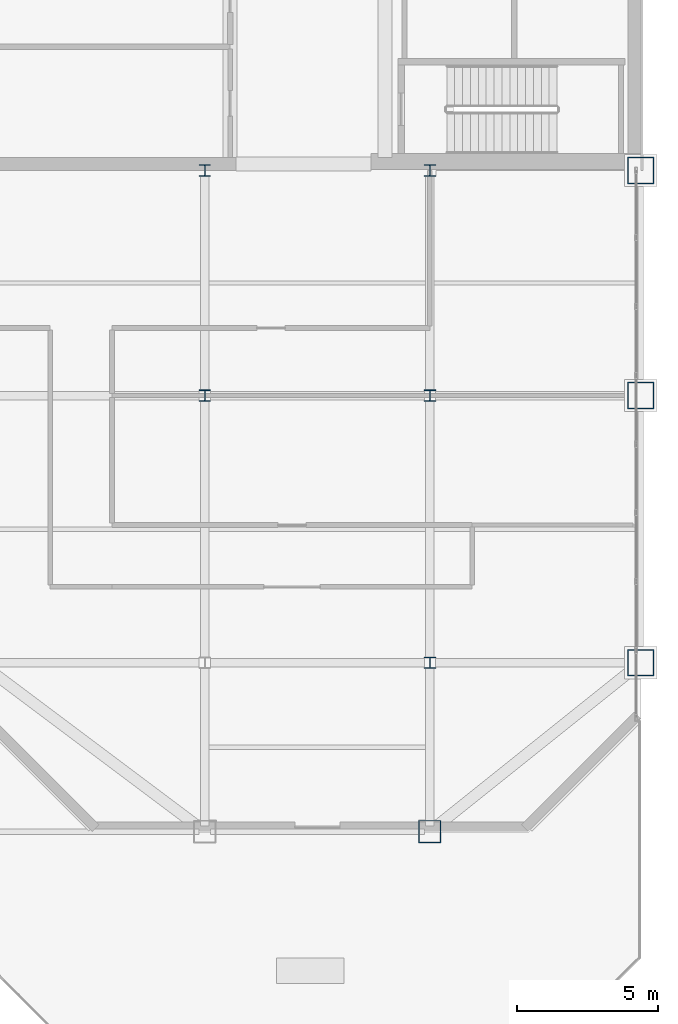
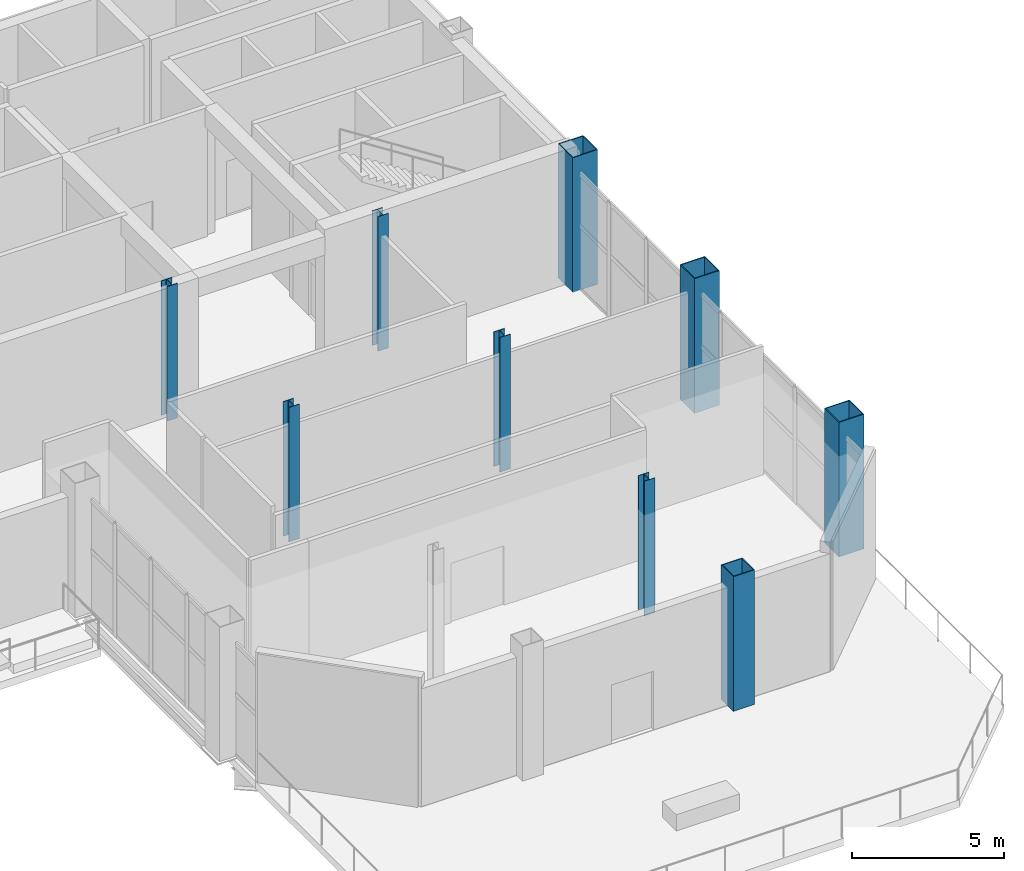
# One storey, part 2 of 21: 9 columns.
"""IFC4 building model written with IfcOpenShell, lengths in metres."""

import ifcopenshell
import ifcopenshell.guid

model = None  # the IFC model being written
_history = None  # IfcOwnerHistory: only IFC2X3 demands one
_inside = {}  # id of a spatial element -> (the spatial element, [elements in it])
_under = {}  # id of a project, library or spatial element -> (it, [spatial elements below it])
_declared = {}  # id of a project -> (the project, [libraries it declares])
_typed = {}  # id of a type object -> (the type object, [elements of that type])
_made_of = {}  # id of a material, layer set ... -> (it, [elements and type objects made of it])


def new_model(schema):
    """Start an empty IFC model of exactly this schema.

    Asked for "IFC4X3", IfcOpenShell would pick the latest addendum, in which some entities
    have other attributes; the version numbers below select the first issue.
    IFC2X3 requires an IfcOwnerHistory on every rooted entity: one is made here for all.
    """
    global model, _history
    if schema == "IFC4X3":
        model = ifcopenshell.file(schema_version=(4, 3, 0, 0))
    else:
        model = ifcopenshell.file(schema=schema)
    _inside.clear()
    _under.clear()
    _declared.clear()
    _typed.clear()
    _made_of.clear()
    _history = None
    if model.schema == "IFC2X3":
        org = make("IfcOrganization", Name="unknown")
        user = make(
            "IfcPersonAndOrganization",
            ThePerson=make("IfcPerson", FamilyName="unknown"),
            TheOrganization=org,
        )
        app = make(
            "IfcApplication",
            ApplicationDeveloper=org,
            Version="unknown",
            ApplicationFullName="unknown",
            ApplicationIdentifier="unknown",
        )
        _history = make(
            "IfcOwnerHistory",
            OwningUser=user,
            OwningApplication=app,
            ChangeAction="ADDED",
            CreationDate=0,
        )
    return model


def make(cls, **values):
    """One entity of the class cls with the attributes given. An attribute that is None is left unset."""
    return model.create_entity(
        cls, **{name: value for name, value in values.items() if value is not None}
    )


def rooted(cls, **values):
    """An entity with a GlobalId (a new one), such as an element, a storey or a relation."""
    return make(cls, GlobalId=ifcopenshell.guid.new(), OwnerHistory=_history, **values)


def si_unit(unit_type, name, prefix=None):
    """IfcSIUnit, for example si_unit("LENGTHUNIT", "METRE", prefix="MILLI")."""
    return make("IfcSIUnit", UnitType=unit_type, Prefix=prefix, Name=name)


def assignment(units):
    """IfcUnitAssignment: the units of a project."""
    return None if units is None else make("IfcUnitAssignment", Units=units)


def point(xyz):
    """IfcCartesianPoint."""
    return None if xyz is None else make("IfcCartesianPoint", Coordinates=xyz)


def direction(xyz):
    """IfcDirection."""
    return None if xyz is None else make("IfcDirection", DirectionRatios=xyz)


def frame(location, z_axis=None, x_axis=None):
    """IfcAxis2Placement3D, a coordinate frame: its origin and axes. An axis left out is left unset."""
    return make(
        "IfcAxis2Placement3D",
        Location=point(location),
        Axis=direction(z_axis),
        RefDirection=direction(x_axis),
    )


def frame_2d(location, x_axis=None):
    """IfcAxis2Placement2D, a coordinate frame in the plane: its origin and x axis."""
    return make(
        "IfcAxis2Placement2D", Location=point(location), RefDirection=direction(x_axis)
    )


def origin():
    """The frame at (0, 0, 0) with its axes left unset."""
    return frame((0.0, 0.0, 0.0))


def origin_2d():
    """The frame at (0, 0) in the plane with its x axis left unset."""
    return frame_2d((0.0, 0.0))


def place(relative_to, where):
    """IfcLocalPlacement: puts the frame where relative to a parent placement (None: the world)."""
    return make(
        "IfcLocalPlacement", PlacementRelTo=relative_to, RelativePlacement=where
    )


def context(
    kind, dimensions, precision=None, world=None, true_north=None, identifier=None
):
    """IfcGeometricRepresentationContext, for example the 3D "Model" context."""
    return make(
        "IfcGeometricRepresentationContext",
        ContextIdentifier=identifier,
        ContextType=kind,
        CoordinateSpaceDimension=dimensions,
        Precision=precision,
        WorldCoordinateSystem=world,
        TrueNorth=true_north,
    )


def subcontext(parent, identifier, kind, view, scale=None):
    """IfcGeometricRepresentationSubContext, for example "Body" below "Model"."""
    return make(
        "IfcGeometricRepresentationSubContext",
        ContextIdentifier=identifier,
        ContextType=kind,
        ParentContext=parent,
        TargetScale=scale,
        TargetView=view,
    )


def project(units=None, contexts=None):
    """IfcProject with its units and contexts."""
    return rooted(
        "IfcProject",
        Name="project",
        RepresentationContexts=contexts,
        UnitsInContext=assignment(units),
    )


def spatial(cls, under=None, at=None, **own):
    """A site, building, storey or space (cls), placed at a placement, below another one or the project."""
    s = rooted(cls, ObjectPlacement=at, **own)
    if under is not None:
        _under.setdefault(under.id(), (under, []))[1].append(s)
    return s


def profile(cls, at=None, kind="AREA", **sizes):
    """A parametric profile (cls). Its sizes go by their IFC names, for example OverallWidth=200.0."""
    return make(cls, ProfileType=kind, Position=at, **sizes)


def hollow_rectangle(**sizes):
    """IfcRectangleHollowProfileDef."""
    return profile("IfcRectangleHollowProfileDef", **sizes)


def i_section(**sizes):
    """IfcIShapeProfileDef."""
    return profile("IfcIShapeProfileDef", **sizes)


def extrude(swept, where, along, depth):
    """IfcExtrudedAreaSolid: the profile swept, set in the frame where, extruded along a direction by depth."""
    return make(
        "IfcExtrudedAreaSolid",
        SweptArea=swept,
        Position=where,
        ExtrudedDirection=direction(along),
        Depth=depth,
    )


def shape(context_of_items, identifier, shape_type, items):
    """IfcShapeRepresentation: the items that make up one representation, for example the "Body"."""
    return make(
        "IfcShapeRepresentation",
        ContextOfItems=context_of_items,
        RepresentationIdentifier=identifier,
        RepresentationType=shape_type,
        Items=items,
    )


def material(Name=None, Category=None):
    """IfcMaterial."""
    return make("IfcMaterial", Name=Name, Category=Category)


def material_profile(
    of_material, cross_section, Name=None, Category=None, Priority=None
):
    """IfcMaterialProfile: a cross section and its material."""
    return make(
        "IfcMaterialProfile",
        Name=Name,
        Material=of_material,
        Profile=cross_section,
        Priority=Priority,
        Category=Category,
    )


def profile_set(profiles, Name=None, composite=None):
    """IfcMaterialProfileSet."""
    return make(
        "IfcMaterialProfileSet",
        Name=Name,
        MaterialProfiles=profiles,
        CompositeProfile=composite,
    )


def made_of(thing, what):
    """Note that an element or type object is made of a material, layer set ...; save() writes the relation."""
    if what is not None:
        _made_of.setdefault(what.id(), (what, []))[1].append(thing)
    return thing


def type_object(cls, material=None, **own):
    """A type object (cls), such as IfcWallType, which elements share."""
    return made_of(rooted(cls, **own), material)


def element(
    cls,
    number,
    at=None,
    inside=None,
    cuts=None,
    type_object=None,
    material=None,
    context=None,
    identifier="Body",
    shape_type=None,
    held_by="IfcProductDefinitionShape",
    body=None,
    shapes=None,
    **own,
):
    """One element of the class cls, such as IfcWall. Its Tag is "e" and its number.

    at: its placement. inside: the storey or other place that contains it. cuts: it is an
    opening in that element (IfcRelVoidsElement). A single representation is given by context,
    identifier, shape_type and body (its items); several are given by shapes. held_by: the class
    of the entity that holds the representations. save() writes the other relations.
    """
    e = rooted(cls, Tag="e%d" % number, ObjectPlacement=at, **own)
    if body is not None:
        shapes = [shape(context, identifier, shape_type, body)]
    if shapes is not None:
        e.Representation = make(held_by, Representations=shapes)
    if inside is not None:
        _inside.setdefault(inside.id(), (inside, []))[1].append(e)
    if cuts is not None:
        rooted(
            "IfcRelVoidsElement", RelatingBuildingElement=cuts, RelatedOpeningElement=e
        )
    if type_object is not None:
        _typed.setdefault(type_object.id(), (type_object, []))[1].append(e)
    return made_of(e, material)


def aggregate(whole, parts):
    """IfcRelAggregates: a whole, such as a stair, and the parts it consists of."""
    return rooted("IfcRelAggregates", RelatingObject=whole, RelatedObjects=parts)


def save(model, path):
    """Write the relations noted so far, then the file.

    IfcRelAggregates (storeys below a building ...), IfcRelContainedInSpatialStructure (elements
    in a storey), IfcRelDefinesByType, IfcRelAssociatesMaterial and IfcRelDeclares: one each for
    every whole, place, type object, material and project.
    """
    for whole, parts in _under.values():
        aggregate(whole, parts)
    for where, things in _inside.values():
        rooted(
            "IfcRelContainedInSpatialStructure",
            RelatedElements=things,
            RelatingStructure=where,
        )
    for kind, things in _typed.values():
        rooted("IfcRelDefinesByType", RelatedObjects=things, RelatingType=kind)
    for what, things in _made_of.values():
        rooted("IfcRelAssociatesMaterial", RelatedObjects=things, RelatingMaterial=what)
    for by, libraries in _declared.values():
        rooted("IfcRelDeclares", RelatingContext=by, RelatedDefinitions=libraries)
    model.write(path)


model = new_model("IFC4")

# Units and contexts
model_context = context("Model", 3, precision=1e-05, world=origin(), true_north=direction((0.0, 1.0)))
body_context = subcontext(model_context, "Body", "Model", "MODEL_VIEW")
ifc_project = project(units=[si_unit("LENGTHUNIT", "METRE"), si_unit("AREAUNIT", "SQUARE_METRE"), si_unit("VOLUMEUNIT", "CUBIC_METRE"), si_unit("PLANEANGLEUNIT", "RADIAN"), si_unit("MASSUNIT", "GRAM", prefix="KILO")], contexts=[model_context])

# Site, building, storey
site_placement = place(None, origin())
site = spatial("IfcSite", under=ifc_project, at=site_placement, CompositionType="ELEMENT")
building_placement = place(site_placement, origin())
building = spatial("IfcBuilding", under=site, at=building_placement, Name="Qianrong Seaharbour Tower", CompositionType="ELEMENT")
storey_placement = place(building_placement, frame((0.0, 0.0, 200.39990234375)))
storey = spatial("IfcBuildingStorey", under=building, at=storey_placement, Name="L48", CompositionType="ELEMENT", Elevation=200.39990234375)

# Columns
ifc_material = material(Name="Structural steel SN490B", Category="steel")
ifc_material_profile_1 = material_profile(ifc_material, hollow_rectangle(XDim=0.949951171875, YDim=0.949951171875, WallThickness=0.035888671875, at=origin_2d()), Name="BOX950x950x36")
ifc_profile_set_1 = profile_set([ifc_material_profile_1], Name="Structural steel SN490B")
column_type_1 = type_object("IfcColumnType", Name="COL-CFT-950", PredefinedType="COLUMN", material=ifc_profile_set_1)
for number, where, z_axis, x_axis, name in (
    (1, (64.0, 18.5, 0.0), (0.0, 0.0, 1.0), (1.0, 0.0, 0.0), "L48 Column MC-4 at G9/GD"),
    (2, (64.0, 28.0, 0.0), (0.0, 0.0, 1.0), (1.0, 0.0, 0.0), "L48 Column MC-4 at G9/GE"),
    (3, (64.0, 36.0, 0.0), (0.0, 0.0, 1.0), (1.0, 0.0, 0.0), "L48 Column MC-4 at G9/GF"),
):
    element("IfcColumn", number, at=place(storey_placement, frame(where, z_axis=z_axis, x_axis=x_axis)), inside=storey, type_object=column_type_1, Name=name, PredefinedType="COLUMN", context=body_context, shape_type="SweptSolid", body=[
        extrude(hollow_rectangle(XDim=0.949951171875, YDim=0.949951171875, WallThickness=0.035888671875, at=origin_2d()), origin(), (0.0, 0.0, 1.0), 5.400146484375),
    ])
ifc_material_profile_2 = material_profile(ifc_material, i_section(OverallWidth=0.39990234375, OverallDepth=0.39990234375, WebThickness=0.012939453125, FlangeThickness=0.02099609375, FilletRadius=0.02197265625, at=origin_2d()), Name="H400x400x13x21")
ifc_profile_set_2 = profile_set([ifc_material_profile_2], Name="Structural steel SN490B")
column_type_2 = type_object("IfcColumnType", Name="COL-INT-H400", PredefinedType="COLUMN", material=ifc_profile_set_2)
for number, where, z_axis, x_axis, name in (
    (4, (48.5, 28.0, 0.0), (0.0, 0.0, 1.0), (1.0, 0.0, 0.0), "L48 Column IC-3 at G7/GE"),
    (5, (48.5, 36.0, 0.0), (0.0, 0.0, 1.0), (1.0, 0.0, 0.0), "L48 Column IC-3 at G7/GF"),
    (6, (56.5, 18.5, 0.0), (0.0, 0.0, 1.0), (1.0, 0.0, 0.0), "L48 Column IC-3 at G8/GD"),
    (7, (56.5, 28.0, 0.0), (0.0, 0.0, 1.0), (1.0, 0.0, 0.0), "L48 Column IC-3 at G8/GE"),
    (8, (56.5, 36.0, 0.0), (0.0, 0.0, 1.0), (1.0, 0.0, 0.0), "L48 Column IC-3 at G8/GF"),
):
    element("IfcColumn", number, at=place(storey_placement, frame(where, z_axis=z_axis, x_axis=x_axis)), inside=storey, type_object=column_type_2, Name=name, PredefinedType="COLUMN", context=body_context, shape_type="SweptSolid", body=[
        extrude(i_section(OverallWidth=0.39990234375, OverallDepth=0.39990234375, WebThickness=0.012939453125, FlangeThickness=0.02099609375, FilletRadius=0.02197265625, at=origin_2d()), origin(), (0.0, 0.0, 1.0), 5.400146484375),
    ])
ifc_material_profile_3 = material_profile(ifc_material, hollow_rectangle(XDim=0.800048828125, YDim=0.800048828125, WallThickness=0.031982421875, at=origin_2d()), Name="BOX800x800x32")
ifc_profile_set_3 = profile_set([ifc_material_profile_3], Name="Structural steel SN490B")
column_type_3 = type_object("IfcColumnType", Name="COL-PER-800", PredefinedType="COLUMN", material=ifc_profile_set_3)
column_placement = place(storey_placement, frame((56.5, 12.5, 0.0), z_axis=(0.0, 0.0, 1.0), x_axis=(1.0, 0.0, 0.0)))
element("IfcColumn", 9, at=column_placement, inside=storey, type_object=column_type_3, Name="L48 Column PC-3 at G8/GC", PredefinedType="COLUMN", context=body_context, shape_type="SweptSolid", body=[
    extrude(hollow_rectangle(XDim=0.800048828125, YDim=0.800048828125, WallThickness=0.031982421875, at=origin_2d()), origin(), (0.0, 0.0, 1.0), 5.400146484375),
])

save(model, "model.ifc")
